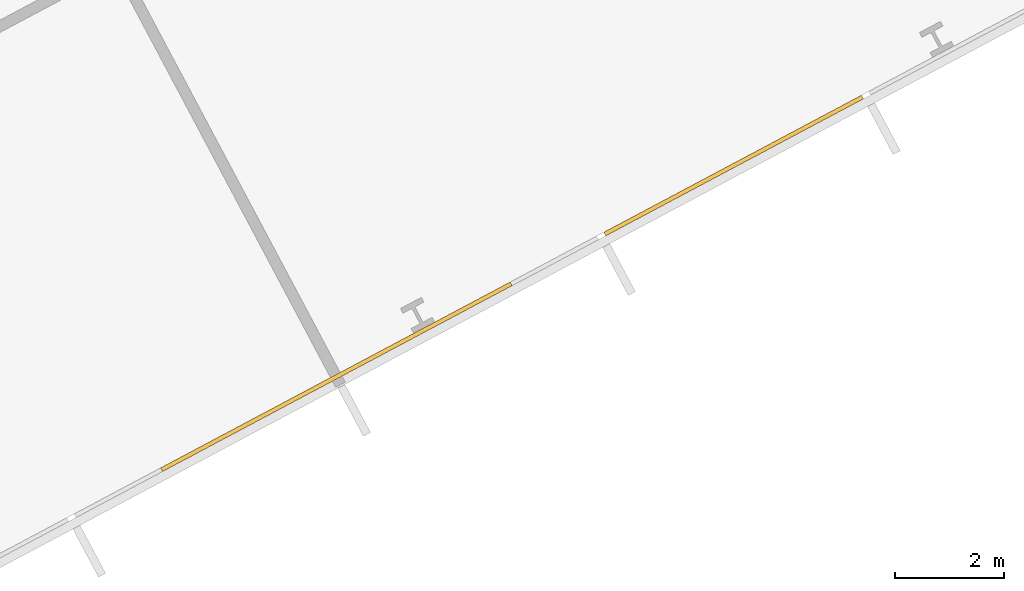
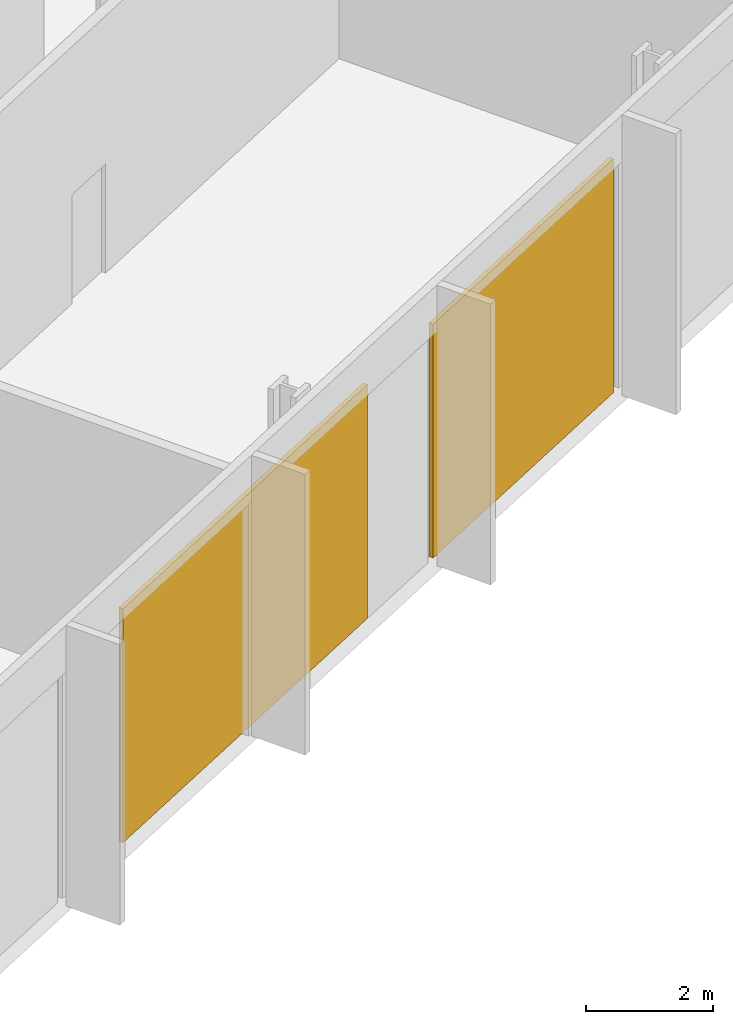
# One storey, part 27 of 31: 2 coverings, 1 element without a shape of its own.
"""IFC4 building model written with IfcOpenShell, lengths in metres."""

from ifc_helpers import new_model, si_unit, direction, frame, origin, origin_2d, place, context, subcontext, project, spatial, rectangle, extrude, material, layer, layer_set, type_object, element, aggregate, save


model = new_model("IFC4")

# Units and contexts
model_context = context("Model", 3, precision=1e-05, world=origin(), true_north=direction((0.0, 1.0)))
body_context = subcontext(model_context, "Body", "Model", "MODEL_VIEW")
ifc_project = project(units=[si_unit("LENGTHUNIT", "METRE"), si_unit("AREAUNIT", "SQUARE_METRE"), si_unit("VOLUMEUNIT", "CUBIC_METRE"), si_unit("PLANEANGLEUNIT", "RADIAN"), si_unit("MASSUNIT", "GRAM", prefix="KILO")], contexts=[model_context])

# Site, building, storey
site_placement = place(None, origin())
site = spatial("IfcSite", under=ifc_project, at=site_placement, CompositionType="ELEMENT")
building_placement = place(site_placement, origin())
building = spatial("IfcBuilding", under=site, at=building_placement, Name="Cormorant Relay Tower", CompositionType="ELEMENT")
storey_placement = place(building_placement, frame((0.0, 0.0, 50.0)))
storey = spatial("IfcBuildingStorey", under=building, at=storey_placement, Name="L09", CompositionType="ELEMENT", Elevation=50.0)

# Curtain wall, coverings
ifc_material_1 = material(Name="Aluminium 6063-T6 anodised bronze", Category="aluminium")
ifc_layer_1 = layer(ifc_material_1, 0.235107421875)
ifc_layer_set_1 = layer_set([ifc_layer_1], Name="CW6 data hall curtain wall with mineral wool panels")
curtain_wall_type = type_object("IfcCurtainWallType", Name="CW6 data hall curtain wall with mineral wool panels", PredefinedType="NOTDEFINED", material=ifc_layer_set_1)
curtain_wall_placement = place(storey_placement, origin())
curtain_wall = element("IfcCurtainWall", 1, at=curtain_wall_placement, inside=storey, type_object=curtain_wall_type, Name="CW6 curtain wall 2", PredefinedType="NOTDEFINED")
ifc_material_2 = material(Name="Mineral wool cored anodised bronze aluminium cassette panel", Category="aluminium")
ifc_layer_2 = layer(ifc_material_2, 0.074951171875)
ifc_layer_set_2 = layer_set([ifc_layer_2], Name="CW6 mineral wool cassette panel 75")
covering_type = type_object("IfcCoveringType", Name="CW6 mineral wool cassette panel 75", PredefinedType="CLADDING", material=ifc_layer_set_2)
covering_1_placement = place(storey_placement, frame((51.333251953125, 3.468017578125, 0.0), z_axis=(0.0, 0.0, 1.0), x_axis=(0.882947592859, 0.469471562786, 0.0)))
covering_1 = element("IfcCovering", 2, at=covering_1_placement, type_object=covering_type, Name="CW6 panel S10", PredefinedType="CLADDING", context=body_context, shape_type="SweptSolid", body=[
    extrude(rectangle(XDim=7.273681640625, YDim=0.074951171875, at=origin_2d()), origin(), (0.0, 0.0, 1.0), 4.5),
])
covering_2_placement = place(storey_placement, frame((58.63330078125, 7.349365234375, 0.0), z_axis=(0.0, 0.0, 1.0), x_axis=(0.882947592859, 0.469471562786, 0.0)))
covering_2 = element("IfcCovering", 3, at=covering_2_placement, type_object=covering_type, Name="CW6 panel S12", PredefinedType="CLADDING", context=body_context, shape_type="SweptSolid", body=[
    extrude(rectangle(XDim=5.36181640625, YDim=0.074951171875, at=origin_2d()), origin(), (0.0, 0.0, 1.0), 4.5),
])
aggregate(curtain_wall, [covering_1, covering_2])

save(model, "model.ifc")
